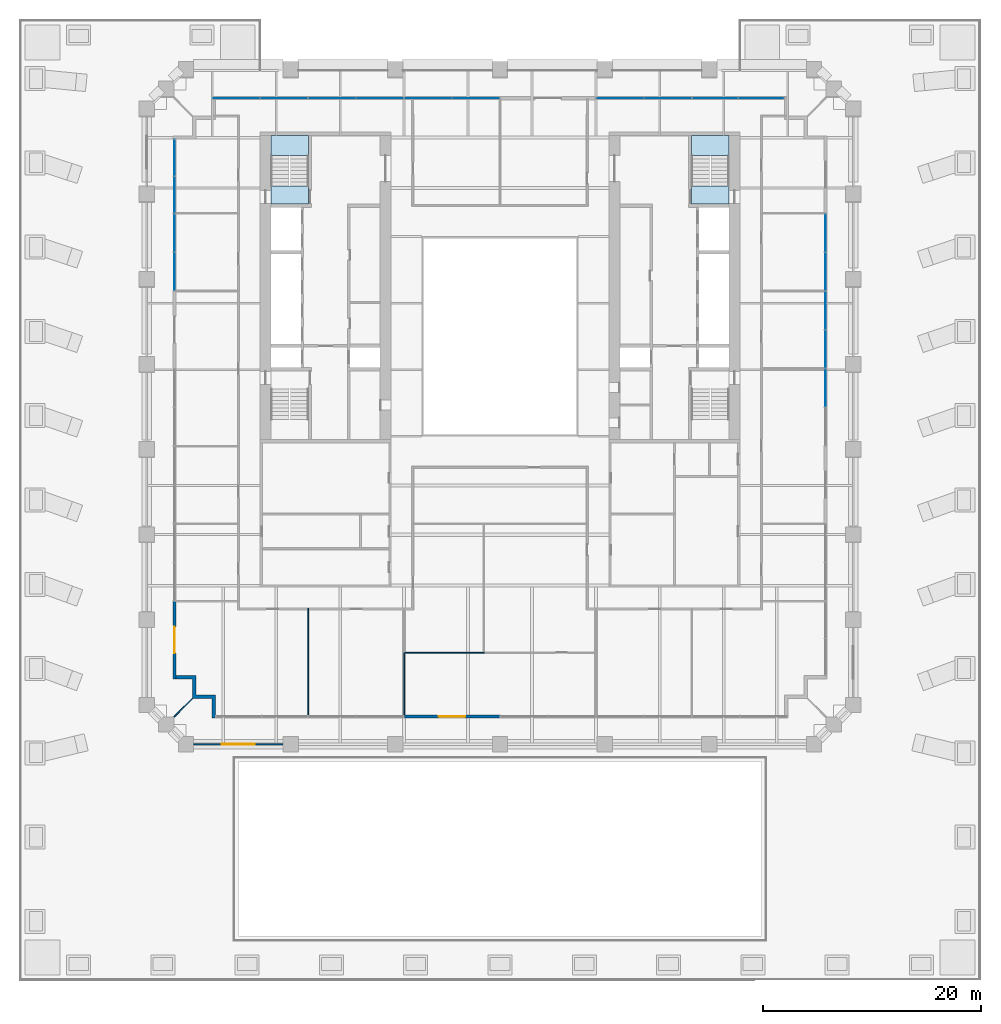
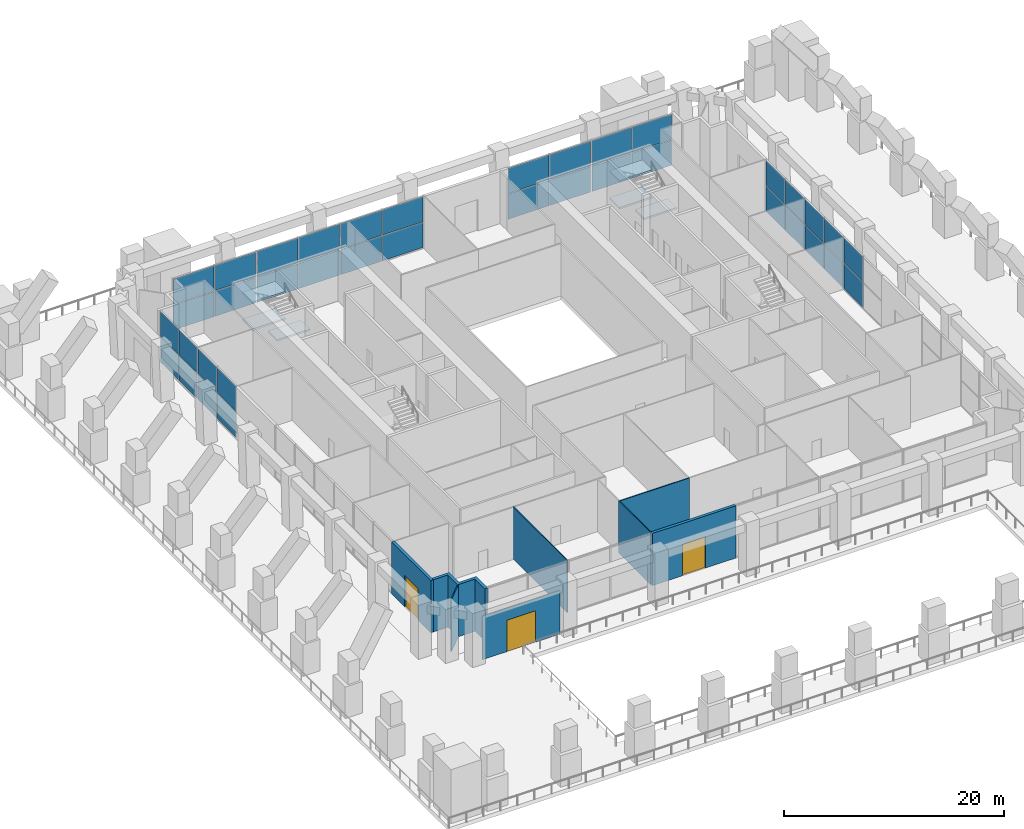
# One storey, part 11 of 20: 38 plates, 8 walls, 6 slabs, 3 doors, 3 openings, 12 elements without a shape of their own.
"""IFC4 building model written with IfcOpenShell, lengths in metres."""

from ifc_helpers import new_model, si_unit, direction, frame, frame_2d, origin, origin_2d, place, context, subcontext, project, spatial, polyline, rectangle, outline, extrude, material, layer, layer_set, type_object, element, fill, aggregate, save


model = new_model("IFC4")

# Units and contexts
model_context = context("Model", 3, precision=1e-05, world=origin(), true_north=direction((0.0, 1.0)))
body_context = subcontext(model_context, "Body", "Model", "MODEL_VIEW")
ifc_project = project(units=[si_unit("LENGTHUNIT", "METRE"), si_unit("AREAUNIT", "SQUARE_METRE"), si_unit("VOLUMEUNIT", "CUBIC_METRE"), si_unit("PLANEANGLEUNIT", "RADIAN"), si_unit("MASSUNIT", "GRAM", prefix="KILO")], contexts=[model_context])

# Site, building, storey
site_placement = place(None, origin())
site = spatial("IfcSite", under=ifc_project, at=site_placement, CompositionType="ELEMENT")
building_placement = place(site_placement, origin())
building = spatial("IfcBuilding", under=site, at=building_placement, Name="Ogive Exchange Tower", CompositionType="ELEMENT")
storey_placement = place(building_placement, frame((0.0, 0.0, 33.60009765625)))
storey = spatial("IfcBuildingStorey", under=building, at=storey_placement, Name="L06", CompositionType="ELEMENT", Elevation=33.60009765625)

# Curtain wall, plates
ifc_material_1 = material(Name="Anodised aluminium and clear glass", Category="aluminium")
curtain_wall_type = type_object("IfcCurtainWallType", Name="Sky lobby glazing", PredefinedType="NOTDEFINED", material=ifc_material_1)
curtain_wall_1_placement = place(storey_placement, origin())
curtain_wall_1 = element("IfcCurtainWall", 1, at=curtain_wall_1_placement, inside=storey, type_object=curtain_wall_type, Name="Sky lobby glazing run G10", PredefinedType="NOTDEFINED")
ifc_material_2 = material(Name="Clear glass", Category="glass")
ifc_layer_1 = layer(ifc_material_2, 0.031982421875)
ifc_layer_set_1 = layer_set([ifc_layer_1], Name="Clear low-emissivity glass panel 32")
plate_type = type_object("IfcPlateType", Name="Clear low-emissivity glass panel 32", PredefinedType="CURTAIN_PANEL", material=ifc_layer_set_1)
plate_1_placement = place(storey_placement, frame((29.85009765625, 2.260986328125, 0.06982421875), z_axis=(0.0, 0.0, 1.0), x_axis=(0.0, 1.0, 0.0)))
plate_1 = element("IfcPlate", 2, at=plate_1_placement, type_object=plate_type, Name="G10 panel 2.1", PredefinedType="CURTAIN_PANEL", context=body_context, shape_type="SweptSolid", body=[
    extrude(rectangle(XDim=3.4521484375, YDim=0.031982421875, at=origin_2d()), origin(), (0.0, 0.0, 1.0), 2.794921875),
])
plate_2_placement = place(storey_placement, frame((29.85009765625, 2.260986328125, 2.93505859375), z_axis=(0.0, 0.0, 1.0), x_axis=(0.0, 1.0, 0.0)))
plate_2 = element("IfcPlate", 3, at=plate_2_placement, type_object=plate_type, Name="G10 panel 2.2", PredefinedType="CURTAIN_PANEL", context=body_context, shape_type="SweptSolid", body=[
    extrude(rectangle(XDim=3.4521484375, YDim=0.031982421875, at=origin_2d()), origin(), (0.0, 0.0, 1.0), 2.794921875),
])
aggregate(curtain_wall_1, [plate_1, plate_2])

curtain_wall_2_placement = place(storey_placement, origin())
curtain_wall_2 = element("IfcCurtainWall", 4, at=curtain_wall_2_placement, inside=storey, type_object=curtain_wall_type, Name="Sky lobby glazing run G11", PredefinedType="NOTDEFINED")
plate_3_placement = place(storey_placement, frame((29.85009765625, 5.853271484375, 0.06982421875), z_axis=(0.0, 0.0, 1.0), x_axis=(0.0, 1.0, 0.0)))
plate_3 = element("IfcPlate", 5, at=plate_3_placement, type_object=plate_type, Name="G11 panel 1.1", PredefinedType="CURTAIN_PANEL", context=body_context, shape_type="SweptSolid", body=[
    extrude(rectangle(XDim=3.4521484375, YDim=0.031982421875, at=origin_2d()), origin(), (0.0, 0.0, 1.0), 2.794921875),
])
plate_4_placement = place(storey_placement, frame((29.85009765625, 5.853271484375, 2.93505859375), z_axis=(0.0, 0.0, 1.0), x_axis=(0.0, 1.0, 0.0)))
plate_4 = element("IfcPlate", 6, at=plate_4_placement, type_object=plate_type, Name="G11 panel 1.2", PredefinedType="CURTAIN_PANEL", context=body_context, shape_type="SweptSolid", body=[
    extrude(rectangle(XDim=3.4521484375, YDim=0.031982421875, at=origin_2d()), origin(), (0.0, 0.0, 1.0), 2.794921875),
])
plate_5_placement = place(storey_placement, frame((29.85009765625, 9.375244140625, 0.06982421875), z_axis=(0.0, 0.0, 1.0), x_axis=(0.0, 1.0, 0.0)))
plate_5 = element("IfcPlate", 7, at=plate_5_placement, type_object=plate_type, Name="G11 panel 2.1", PredefinedType="CURTAIN_PANEL", context=body_context, shape_type="SweptSolid", body=[
    extrude(rectangle(XDim=3.4521484375, YDim=0.031982421875, at=origin_2d()), origin(), (0.0, 0.0, 1.0), 2.794921875),
])
plate_6_placement = place(storey_placement, frame((29.85009765625, 9.375244140625, 2.93505859375), z_axis=(0.0, 0.0, 1.0), x_axis=(0.0, 1.0, 0.0)))
plate_6 = element("IfcPlate", 8, at=plate_6_placement, type_object=plate_type, Name="G11 panel 2.2", PredefinedType="CURTAIN_PANEL", context=body_context, shape_type="SweptSolid", body=[
    extrude(rectangle(XDim=3.4521484375, YDim=0.031982421875, at=origin_2d()), origin(), (0.0, 0.0, 1.0), 2.794921875),
])
aggregate(curtain_wall_2, [plate_3, plate_4, plate_5, plate_6])

curtain_wall_3_placement = place(storey_placement, origin())
curtain_wall_3 = element("IfcCurtainWall", 9, at=curtain_wall_3_placement, inside=storey, type_object=curtain_wall_type, Name="Sky lobby glazing run G12", PredefinedType="NOTDEFINED")
plate_7_placement = place(storey_placement, frame((29.85009765625, 12.967529296875, 0.06982421875), z_axis=(0.0, 0.0, 1.0), x_axis=(0.0, 1.0, 0.0)))
plate_7 = element("IfcPlate", 10, at=plate_7_placement, type_object=plate_type, Name="G12 panel 1.1", PredefinedType="CURTAIN_PANEL", context=body_context, shape_type="SweptSolid", body=[
    extrude(rectangle(XDim=3.4521484375, YDim=0.031982421875, at=origin_2d()), origin(), (0.0, 0.0, 1.0), 2.794921875),
])
plate_8_placement = place(storey_placement, frame((29.85009765625, 12.967529296875, 2.93505859375), z_axis=(0.0, 0.0, 1.0), x_axis=(0.0, 1.0, 0.0)))
plate_8 = element("IfcPlate", 11, at=plate_8_placement, type_object=plate_type, Name="G12 panel 1.2", PredefinedType="CURTAIN_PANEL", context=body_context, shape_type="SweptSolid", body=[
    extrude(rectangle(XDim=3.4521484375, YDim=0.031982421875, at=origin_2d()), origin(), (0.0, 0.0, 1.0), 2.794921875),
])
plate_9_placement = place(storey_placement, frame((29.85009765625, 16.48974609375, 0.06982421875), z_axis=(0.0, 0.0, 1.0), x_axis=(0.0, 1.0, 0.0)))
plate_9 = element("IfcPlate", 12, at=plate_9_placement, type_object=plate_type, Name="G12 panel 2.1", PredefinedType="CURTAIN_PANEL", context=body_context, shape_type="SweptSolid", body=[
    extrude(rectangle(XDim=3.4521484375, YDim=0.031982421875, at=origin_2d()), origin(), (0.0, 0.0, 1.0), 2.794921875),
])
plate_10_placement = place(storey_placement, frame((29.85009765625, 16.48974609375, 2.93505859375), z_axis=(0.0, 0.0, 1.0), x_axis=(0.0, 1.0, 0.0)))
plate_10 = element("IfcPlate", 13, at=plate_10_placement, type_object=plate_type, Name="G12 panel 2.2", PredefinedType="CURTAIN_PANEL", context=body_context, shape_type="SweptSolid", body=[
    extrude(rectangle(XDim=3.4521484375, YDim=0.031982421875, at=origin_2d()), origin(), (0.0, 0.0, 1.0), 2.794921875),
])
aggregate(curtain_wall_3, [plate_7, plate_8, plate_9, plate_10])

curtain_wall_4_placement = place(storey_placement, origin())
curtain_wall_4 = element("IfcCurtainWall", 14, at=curtain_wall_4_placement, inside=storey, type_object=curtain_wall_type, Name="Sky lobby glazing run G14", PredefinedType="NOTDEFINED")
plate_11_placement = place(storey_placement, frame((23.95751953125, 28.85009765625, 0.06982421875), z_axis=(0.0, 0.0, 1.0), x_axis=(-1.0, 0.0, 0.0)))
plate_11 = element("IfcPlate", 15, at=plate_11_placement, type_object=plate_type, Name="G14 panel 1.1", PredefinedType="CURTAIN_PANEL", context=body_context, shape_type="SweptSolid", body=[
    extrude(rectangle(XDim=4.14501953125, YDim=0.031982421875, at=origin_2d()), origin(), (0.0, 0.0, 1.0), 2.794921875),
])
plate_12_placement = place(storey_placement, frame((23.95751953125, 28.85009765625, 2.93505859375), z_axis=(0.0, 0.0, 1.0), x_axis=(-1.0, 0.0, 0.0)))
plate_12 = element("IfcPlate", 16, at=plate_12_placement, type_object=plate_type, Name="G14 panel 1.2", PredefinedType="CURTAIN_PANEL", context=body_context, shape_type="SweptSolid", body=[
    extrude(rectangle(XDim=4.14501953125, YDim=0.031982421875, at=origin_2d()), origin(), (0.0, 0.0, 1.0), 2.794921875),
])
plate_13_placement = place(storey_placement, frame((19.742431640625, 28.85009765625, 0.06982421875), z_axis=(0.0, 0.0, 1.0), x_axis=(-1.0, 0.0, 0.0)))
plate_13 = element("IfcPlate", 17, at=plate_13_placement, type_object=plate_type, Name="G14 panel 2.1", PredefinedType="CURTAIN_PANEL", context=body_context, shape_type="SweptSolid", body=[
    extrude(rectangle(XDim=4.14501953125, YDim=0.031982421875, at=origin_2d()), origin(), (0.0, 0.0, 1.0), 2.794921875),
])
plate_14_placement = place(storey_placement, frame((19.742431640625, 28.85009765625, 2.93505859375), z_axis=(0.0, 0.0, 1.0), x_axis=(-1.0, 0.0, 0.0)))
plate_14 = element("IfcPlate", 18, at=plate_14_placement, type_object=plate_type, Name="G14 panel 2.2", PredefinedType="CURTAIN_PANEL", context=body_context, shape_type="SweptSolid", body=[
    extrude(rectangle(XDim=4.14501953125, YDim=0.031982421875, at=origin_2d()), origin(), (0.0, 0.0, 1.0), 2.794921875),
])
aggregate(curtain_wall_4, [plate_11, plate_12, plate_13, plate_14])

curtain_wall_5_placement = place(storey_placement, origin())
curtain_wall_5 = element("IfcCurtainWall", 19, at=curtain_wall_5_placement, inside=storey, type_object=curtain_wall_type, Name="Sky lobby glazing run G15", PredefinedType="NOTDEFINED")
plate_15_placement = place(storey_placement, frame((15.382568359375, 28.85009765625, 0.06982421875), z_axis=(0.0, 0.0, 1.0), x_axis=(-1.0, 0.0, 0.0)))
plate_15 = element("IfcPlate", 20, at=plate_15_placement, type_object=plate_type, Name="G15 panel 1.1", PredefinedType="CURTAIN_PANEL", context=body_context, shape_type="SweptSolid", body=[
    extrude(rectangle(XDim=4.294921875, YDim=0.031982421875, at=origin_2d()), origin(), (0.0, 0.0, 1.0), 2.794921875),
])
plate_16_placement = place(storey_placement, frame((15.382568359375, 28.85009765625, 2.93505859375), z_axis=(0.0, 0.0, 1.0), x_axis=(-1.0, 0.0, 0.0)))
plate_16 = element("IfcPlate", 21, at=plate_16_placement, type_object=plate_type, Name="G15 panel 1.2", PredefinedType="CURTAIN_PANEL", context=body_context, shape_type="SweptSolid", body=[
    extrude(rectangle(XDim=4.294921875, YDim=0.031982421875, at=origin_2d()), origin(), (0.0, 0.0, 1.0), 2.794921875),
])
plate_17_placement = place(storey_placement, frame((11.017578125, 28.85009765625, 0.06982421875), z_axis=(0.0, 0.0, 1.0), x_axis=(-1.0, 0.0, 0.0)))
plate_17 = element("IfcPlate", 22, at=plate_17_placement, type_object=plate_type, Name="G15 panel 2.1", PredefinedType="CURTAIN_PANEL", context=body_context, shape_type="SweptSolid", body=[
    extrude(rectangle(XDim=4.294921875, YDim=0.031982421875, at=origin_2d()), origin(), (0.0, 0.0, 1.0), 2.794921875),
])
plate_18_placement = place(storey_placement, frame((11.017578125, 28.85009765625, 2.93505859375), z_axis=(0.0, 0.0, 1.0), x_axis=(-1.0, 0.0, 0.0)))
plate_18 = element("IfcPlate", 23, at=plate_18_placement, type_object=plate_type, Name="G15 panel 2.2", PredefinedType="CURTAIN_PANEL", context=body_context, shape_type="SweptSolid", body=[
    extrude(rectangle(XDim=4.294921875, YDim=0.031982421875, at=origin_2d()), origin(), (0.0, 0.0, 1.0), 2.794921875),
])
aggregate(curtain_wall_5, [plate_15, plate_16, plate_17, plate_18])

curtain_wall_6_placement = place(storey_placement, origin())
curtain_wall_6 = element("IfcCurtainWall", 24, at=curtain_wall_6_placement, inside=storey, type_object=curtain_wall_type, Name="Sky lobby glazing run G17", PredefinedType="NOTDEFINED")
plate_19_placement = place(storey_placement, frame((-2.217529296875, 28.85009765625, 0.06982421875), z_axis=(0.0, 0.0, 1.0), x_axis=(-1.0, 0.0, 0.0)))
plate_19 = element("IfcPlate", 25, at=plate_19_placement, type_object=plate_type, Name="G17 panel 1.1", PredefinedType="CURTAIN_PANEL", context=body_context, shape_type="SweptSolid", body=[
    extrude(rectangle(XDim=4.294921875, YDim=0.031982421875, at=origin_2d()), origin(), (0.0, 0.0, 1.0), 2.794921875),
])
plate_20_placement = place(storey_placement, frame((-2.217529296875, 28.85009765625, 2.93505859375), z_axis=(0.0, 0.0, 1.0), x_axis=(-1.0, 0.0, 0.0)))
plate_20 = element("IfcPlate", 26, at=plate_20_placement, type_object=plate_type, Name="G17 panel 1.2", PredefinedType="CURTAIN_PANEL", context=body_context, shape_type="SweptSolid", body=[
    extrude(rectangle(XDim=4.294921875, YDim=0.031982421875, at=origin_2d()), origin(), (0.0, 0.0, 1.0), 2.794921875),
])
plate_21_placement = place(storey_placement, frame((-6.58251953125, 28.85009765625, 0.06982421875), z_axis=(0.0, 0.0, 1.0), x_axis=(-1.0, 0.0, 0.0)))
plate_21 = element("IfcPlate", 27, at=plate_21_placement, type_object=plate_type, Name="G17 panel 2.1", PredefinedType="CURTAIN_PANEL", context=body_context, shape_type="SweptSolid", body=[
    extrude(rectangle(XDim=4.294921875, YDim=0.031982421875, at=origin_2d()), origin(), (0.0, 0.0, 1.0), 2.794921875),
])
plate_22_placement = place(storey_placement, frame((-6.58251953125, 28.85009765625, 2.93505859375), z_axis=(0.0, 0.0, 1.0), x_axis=(-1.0, 0.0, 0.0)))
plate_22 = element("IfcPlate", 28, at=plate_22_placement, type_object=plate_type, Name="G17 panel 2.2", PredefinedType="CURTAIN_PANEL", context=body_context, shape_type="SweptSolid", body=[
    extrude(rectangle(XDim=4.294921875, YDim=0.031982421875, at=origin_2d()), origin(), (0.0, 0.0, 1.0), 2.794921875),
])
aggregate(curtain_wall_6, [plate_19, plate_20, plate_21, plate_22])

curtain_wall_7_placement = place(storey_placement, origin())
curtain_wall_7 = element("IfcCurtainWall", 29, at=curtain_wall_7_placement, inside=storey, type_object=curtain_wall_type, Name="Sky lobby glazing run G18", PredefinedType="NOTDEFINED")
plate_23_placement = place(storey_placement, frame((-11.017578125, 28.85009765625, 0.06982421875), z_axis=(0.0, 0.0, 1.0), x_axis=(-1.0, 0.0, 0.0)))
plate_23 = element("IfcPlate", 30, at=plate_23_placement, type_object=plate_type, Name="G18 panel 1.1", PredefinedType="CURTAIN_PANEL", context=body_context, shape_type="SweptSolid", body=[
    extrude(rectangle(XDim=4.294921875, YDim=0.031982421875, at=origin_2d()), origin(), (0.0, 0.0, 1.0), 2.794921875),
])
plate_24_placement = place(storey_placement, frame((-11.017578125, 28.85009765625, 2.93505859375), z_axis=(0.0, 0.0, 1.0), x_axis=(-1.0, 0.0, 0.0)))
plate_24 = element("IfcPlate", 31, at=plate_24_placement, type_object=plate_type, Name="G18 panel 1.2", PredefinedType="CURTAIN_PANEL", context=body_context, shape_type="SweptSolid", body=[
    extrude(rectangle(XDim=4.294921875, YDim=0.031982421875, at=origin_2d()), origin(), (0.0, 0.0, 1.0), 2.794921875),
])
plate_25_placement = place(storey_placement, frame((-15.382568359375, 28.85009765625, 0.06982421875), z_axis=(0.0, 0.0, 1.0), x_axis=(-1.0, 0.0, 0.0)))
plate_25 = element("IfcPlate", 32, at=plate_25_placement, type_object=plate_type, Name="G18 panel 2.1", PredefinedType="CURTAIN_PANEL", context=body_context, shape_type="SweptSolid", body=[
    extrude(rectangle(XDim=4.294921875, YDim=0.031982421875, at=origin_2d()), origin(), (0.0, 0.0, 1.0), 2.794921875),
])
plate_26_placement = place(storey_placement, frame((-15.382568359375, 28.85009765625, 2.93505859375), z_axis=(0.0, 0.0, 1.0), x_axis=(-1.0, 0.0, 0.0)))
plate_26 = element("IfcPlate", 33, at=plate_26_placement, type_object=plate_type, Name="G18 panel 2.2", PredefinedType="CURTAIN_PANEL", context=body_context, shape_type="SweptSolid", body=[
    extrude(rectangle(XDim=4.294921875, YDim=0.031982421875, at=origin_2d()), origin(), (0.0, 0.0, 1.0), 2.794921875),
])
aggregate(curtain_wall_7, [plate_23, plate_24, plate_25, plate_26])

curtain_wall_8_placement = place(storey_placement, origin())
curtain_wall_8 = element("IfcCurtainWall", 34, at=curtain_wall_8_placement, inside=storey, type_object=curtain_wall_type, Name="Sky lobby glazing run G19", PredefinedType="NOTDEFINED")
plate_27_placement = place(storey_placement, frame((-19.8173828125, 28.85009765625, 0.06982421875), z_axis=(0.0, 0.0, 1.0), x_axis=(-1.0, 0.0, 0.0)))
plate_27 = element("IfcPlate", 35, at=plate_27_placement, type_object=plate_type, Name="G19 panel 1.1", PredefinedType="CURTAIN_PANEL", context=body_context, shape_type="SweptSolid", body=[
    extrude(rectangle(XDim=4.294921875, YDim=0.031982421875, at=origin_2d()), origin(), (0.0, 0.0, 1.0), 2.794921875),
])
plate_28_placement = place(storey_placement, frame((-19.8173828125, 28.85009765625, 2.93505859375), z_axis=(0.0, 0.0, 1.0), x_axis=(-1.0, 0.0, 0.0)))
plate_28 = element("IfcPlate", 36, at=plate_28_placement, type_object=plate_type, Name="G19 panel 1.2", PredefinedType="CURTAIN_PANEL", context=body_context, shape_type="SweptSolid", body=[
    extrude(rectangle(XDim=4.294921875, YDim=0.031982421875, at=origin_2d()), origin(), (0.0, 0.0, 1.0), 2.794921875),
])
plate_29_placement = place(storey_placement, frame((-24.1826171875, 28.85009765625, 0.06982421875), z_axis=(0.0, 0.0, 1.0), x_axis=(-1.0, 0.0, 0.0)))
plate_29 = element("IfcPlate", 37, at=plate_29_placement, type_object=plate_type, Name="G19 panel 2.1", PredefinedType="CURTAIN_PANEL", context=body_context, shape_type="SweptSolid", body=[
    extrude(rectangle(XDim=4.294921875, YDim=0.031982421875, at=origin_2d()), origin(), (0.0, 0.0, 1.0), 2.794921875),
])
plate_30_placement = place(storey_placement, frame((-24.1826171875, 28.85009765625, 2.93505859375), z_axis=(0.0, 0.0, 1.0), x_axis=(-1.0, 0.0, 0.0)))
plate_30 = element("IfcPlate", 38, at=plate_30_placement, type_object=plate_type, Name="G19 panel 2.2", PredefinedType="CURTAIN_PANEL", context=body_context, shape_type="SweptSolid", body=[
    extrude(rectangle(XDim=4.294921875, YDim=0.031982421875, at=origin_2d()), origin(), (0.0, 0.0, 1.0), 2.794921875),
])
aggregate(curtain_wall_8, [plate_27, plate_28, plate_29, plate_30])

curtain_wall_9_placement = place(storey_placement, origin())
curtain_wall_9 = element("IfcCurtainWall", 39, at=curtain_wall_9_placement, inside=storey, type_object=curtain_wall_type, Name="Sky lobby glazing run G20", PredefinedType="NOTDEFINED")
plate_31_placement = place(storey_placement, frame((-29.85009765625, 23.37890625, 0.06982421875), z_axis=(0.0, 0.0, 1.0), x_axis=(0.0, -1.0, 0.0)))
plate_31 = element("IfcPlate", 40, at=plate_31_placement, type_object=plate_type, Name="G20 panel 1.1", PredefinedType="CURTAIN_PANEL", context=body_context, shape_type="SweptSolid", body=[
    extrude(rectangle(XDim=3.30224609375, YDim=0.031982421875, at=origin_2d()), origin(), (0.0, 0.0, 1.0), 2.794921875),
])
plate_32_placement = place(storey_placement, frame((-29.85009765625, 23.37890625, 2.93505859375), z_axis=(0.0, 0.0, 1.0), x_axis=(0.0, -1.0, 0.0)))
plate_32 = element("IfcPlate", 41, at=plate_32_placement, type_object=plate_type, Name="G20 panel 1.2", PredefinedType="CURTAIN_PANEL", context=body_context, shape_type="SweptSolid", body=[
    extrude(rectangle(XDim=3.30224609375, YDim=0.031982421875, at=origin_2d()), origin(), (0.0, 0.0, 1.0), 2.794921875),
])
plate_33_placement = place(storey_placement, frame((-29.85009765625, 20.0068359375, 0.06982421875), z_axis=(0.0, 0.0, 1.0), x_axis=(0.0, -1.0, 0.0)))
plate_33 = element("IfcPlate", 42, at=plate_33_placement, type_object=plate_type, Name="G20 panel 2.1", PredefinedType="CURTAIN_PANEL", context=body_context, shape_type="SweptSolid", body=[
    extrude(rectangle(XDim=3.30224609375, YDim=0.031982421875, at=origin_2d()), origin(), (0.0, 0.0, 1.0), 2.794921875),
])
plate_34_placement = place(storey_placement, frame((-29.85009765625, 20.0068359375, 2.93505859375), z_axis=(0.0, 0.0, 1.0), x_axis=(0.0, -1.0, 0.0)))
plate_34 = element("IfcPlate", 43, at=plate_34_placement, type_object=plate_type, Name="G20 panel 2.2", PredefinedType="CURTAIN_PANEL", context=body_context, shape_type="SweptSolid", body=[
    extrude(rectangle(XDim=3.30224609375, YDim=0.031982421875, at=origin_2d()), origin(), (0.0, 0.0, 1.0), 2.794921875),
])
aggregate(curtain_wall_9, [plate_31, plate_32, plate_33, plate_34])

curtain_wall_10_placement = place(storey_placement, origin())
curtain_wall_10 = element("IfcCurtainWall", 44, at=curtain_wall_10_placement, inside=storey, type_object=curtain_wall_type, Name="Sky lobby glazing run G21", PredefinedType="NOTDEFINED")
plate_35_placement = place(storey_placement, frame((-29.85009765625, 16.48974609375, 0.06982421875), z_axis=(0.0, 0.0, 1.0), x_axis=(0.0, -1.0, 0.0)))
plate_35 = element("IfcPlate", 45, at=plate_35_placement, type_object=plate_type, Name="G21 panel 1.1", PredefinedType="CURTAIN_PANEL", context=body_context, shape_type="SweptSolid", body=[
    extrude(rectangle(XDim=3.4521484375, YDim=0.031982421875, at=origin_2d()), origin(), (0.0, 0.0, 1.0), 2.794921875),
])
plate_36_placement = place(storey_placement, frame((-29.85009765625, 16.48974609375, 2.93505859375), z_axis=(0.0, 0.0, 1.0), x_axis=(0.0, -1.0, 0.0)))
plate_36 = element("IfcPlate", 46, at=plate_36_placement, type_object=plate_type, Name="G21 panel 1.2", PredefinedType="CURTAIN_PANEL", context=body_context, shape_type="SweptSolid", body=[
    extrude(rectangle(XDim=3.4521484375, YDim=0.031982421875, at=origin_2d()), origin(), (0.0, 0.0, 1.0), 2.794921875),
])
plate_37_placement = place(storey_placement, frame((-29.85009765625, 12.967529296875, 0.06982421875), z_axis=(0.0, 0.0, 1.0), x_axis=(0.0, -1.0, 0.0)))
plate_37 = element("IfcPlate", 47, at=plate_37_placement, type_object=plate_type, Name="G21 panel 2.1", PredefinedType="CURTAIN_PANEL", context=body_context, shape_type="SweptSolid", body=[
    extrude(rectangle(XDim=3.4521484375, YDim=0.031982421875, at=origin_2d()), origin(), (0.0, 0.0, 1.0), 2.794921875),
])
plate_38_placement = place(storey_placement, frame((-29.85009765625, 12.967529296875, 2.93505859375), z_axis=(0.0, 0.0, 1.0), x_axis=(0.0, -1.0, 0.0)))
plate_38 = element("IfcPlate", 48, at=plate_38_placement, type_object=plate_type, Name="G21 panel 2.2", PredefinedType="CURTAIN_PANEL", context=body_context, shape_type="SweptSolid", body=[
    extrude(rectangle(XDim=3.4521484375, YDim=0.031982421875, at=origin_2d()), origin(), (0.0, 0.0, 1.0), 2.794921875),
])
aggregate(curtain_wall_10, [plate_35, plate_36, plate_37, plate_38])

# Stair, slabs
ifc_material_3 = material(Name="Concrete C40/50", Category="concrete")
stair_type = type_object("IfcStairType", Name="Exit stair 1650 wide", PredefinedType="HALF_TURN_STAIR", material=ifc_material_3)
stair_1_placement = place(storey_placement, origin())
stair_1 = element("IfcStair", 49, at=stair_1_placement, inside=storey, type_object=stair_type, Name="L06 exit stair ST2", PredefinedType="HALF_TURN_STAIR")
ifc_layer_2 = layer(ifc_material_3, 0.199951171875)
ifc_layer_set_2 = layer_set([ifc_layer_2], Name="Stair landing 200 slab")
slab_type = type_object("IfcSlabType", Name="Stair landing 200 slab", PredefinedType="LANDING", material=ifc_layer_set_2)
slab_1_placement = place(storey_placement, frame((0.0, 0.0, 1.2998046875)))
slab_1 = element("IfcSlab", 50, at=slab_1_placement, type_object=slab_type, Name="ST2 landing 1", PredefinedType="LANDING", context=body_context, shape_type="SweptSolid", body=[
    extrude(outline(polyline([(-17.550048828125, 23.60791015625), (-17.550048828125, 25.449951171875), (-21.0, 25.449951171875), (-21.0, 23.60791015625), (-17.550048828125, 23.60791015625)])), origin(), (0.0, 0.0, 1.0), 0.2001953125),
])
slab_2_placement = place(storey_placement, frame((0.0, 0.0, 2.7998046875)))
slab_2 = element("IfcSlab", 51, at=slab_2_placement, type_object=slab_type, Name="ST2 landing 2", PredefinedType="LANDING", context=body_context, shape_type="SweptSolid", body=[
    extrude(outline(polyline([(-17.550048828125, 19.14990234375), (-17.550048828125, 20.800048828125), (-21.0, 20.800048828125), (-21.0, 19.14990234375), (-17.550048828125, 19.14990234375)])), origin(), (0.0, 0.0, 1.0), 0.2001953125),
])
slab_3_placement = place(storey_placement, frame((0.0, 0.0, 4.2998046875)))
slab_3 = element("IfcSlab", 52, at=slab_3_placement, type_object=slab_type, Name="ST2 landing 3", PredefinedType="LANDING", context=body_context, shape_type="SweptSolid", body=[
    extrude(outline(polyline([(-17.550048828125, 23.60791015625), (-17.550048828125, 25.449951171875), (-21.0, 25.449951171875), (-21.0, 23.60791015625), (-17.550048828125, 23.60791015625)])), origin(), (0.0, 0.0, 1.0), 0.2001953125),
])
aggregate(stair_1, [slab_1, slab_2, slab_3])

stair_2_placement = place(storey_placement, origin())
stair_2 = element("IfcStair", 53, at=stair_2_placement, inside=storey, type_object=stair_type, Name="L06 exit stair ST4", PredefinedType="HALF_TURN_STAIR")
slab_4_placement = place(storey_placement, frame((0.0, 0.0, 1.2998046875)))
slab_4 = element("IfcSlab", 54, at=slab_4_placement, type_object=slab_type, Name="ST4 landing 1", PredefinedType="LANDING", context=body_context, shape_type="SweptSolid", body=[
    extrude(outline(polyline([(21.0, 23.60791015625), (21.0, 25.449951171875), (17.550048828125, 25.449951171875), (17.550048828125, 23.60791015625), (21.0, 23.60791015625)])), origin(), (0.0, 0.0, 1.0), 0.2001953125),
])
slab_5_placement = place(storey_placement, frame((0.0, 0.0, 2.7998046875)))
slab_5 = element("IfcSlab", 55, at=slab_5_placement, type_object=slab_type, Name="ST4 landing 2", PredefinedType="LANDING", context=body_context, shape_type="SweptSolid", body=[
    extrude(outline(polyline([(21.0, 19.14990234375), (21.0, 20.800048828125), (17.550048828125, 20.800048828125), (17.550048828125, 19.14990234375), (21.0, 19.14990234375)])), origin(), (0.0, 0.0, 1.0), 0.2001953125),
])
slab_6_placement = place(storey_placement, frame((0.0, 0.0, 4.2998046875)))
slab_6 = element("IfcSlab", 56, at=slab_6_placement, type_object=slab_type, Name="ST4 landing 3", PredefinedType="LANDING", context=body_context, shape_type="SweptSolid", body=[
    extrude(outline(polyline([(21.0, 23.60791015625), (21.0, 25.449951171875), (17.550048828125, 25.449951171875), (17.550048828125, 23.60791015625), (21.0, 23.60791015625)])), origin(), (0.0, 0.0, 1.0), 0.2001953125),
])
aggregate(stair_2, [slab_4, slab_5, slab_6])

# Wall, opening, door
ifc_material_4 = material(Name="Precast concrete C40/50", Category="concrete")
ifc_layer_3 = layer(ifc_material_4, 0.300048828125)
ifc_layer_set_3 = layer_set([ifc_layer_3], Name="Limestone-faced wall 300")
wall_type_1 = type_object("IfcWallType", Name="Limestone-faced wall 300", PredefinedType="STANDARD", material=ifc_layer_set_3)
wall_1_placement = place(storey_placement, frame((-8.800048828125, -27.85009765625, 0.0), z_axis=(0.0, 0.0, 1.0), x_axis=(1.0, 0.0, 0.0)))
wall_1 = element("IfcWall", 57, at=wall_1_placement, inside=storey, type_object=wall_type_1, Name="External wall S1", PredefinedType="STANDARD", context=body_context, shape_type="SweptSolid", body=[
    extrude(rectangle(XDim=8.800048828125, YDim=0.300048828125, at=frame_2d((4.39990234375, 0.0))), origin(), (0.0, 0.0, 1.0), 5.7998046875),
])
opening_1_placement = place(wall_1_placement, frame((3.199951171875, 0.0, 0.0)))
opening_1 = element("IfcOpeningElement", 58, at=opening_1_placement, cuts=wall_1, Name="Opening D1", PredefinedType="OPENING", context=body_context, shape_type="SweptSolid", body=[
    extrude(rectangle(XDim=2.39990234375, YDim=3.5, at=frame_2d((1.199951171875, 1.75))), frame((0.0, 0.159912109375, 0.0), z_axis=(0.0, -1.0, 0.0), x_axis=(1.0, 0.0, 0.0)), (0.0, 0.0, 1.0), 0.320068359375),
])
ifc_material_5 = material(Name="Clear glass in bronze frame", Category="glass")
door_type_1 = type_object("IfcDoorType", Name="Sliding loggia door 2400 x 3500", OperationType="DOUBLE_DOOR_SLIDING", PredefinedType="DOOR", material=ifc_material_5)
door_1_placement = place(opening_1_placement, origin())
door_1 = element("IfcDoor", 59, at=door_1_placement, inside=storey, type_object=door_type_1, Name="Loggia door S02", OperationType="DOUBLE_DOOR_SLIDING", OverallHeight=3.5, OverallWidth=2.39990234375, PredefinedType="DOOR", context=body_context, shape_type="SweptSolid", body=[
    extrude(rectangle(XDim=2.39990234375, YDim=3.5, at=frame_2d((1.199951171875, 1.75))), frame((0.0, 0.02490234375, 0.0), z_axis=(0.0, -1.0, 0.0), x_axis=(1.0, 0.0, 0.0)), (0.0, 0.0, 1.0), 0.050048828125),
])
fill(opening_1, door_1)

wall_2_placement = place(storey_placement, frame((-29.85009765625, -17.28564453125, 0.0), z_axis=(0.0, 0.0, 1.0), x_axis=(0.0, -1.0, 0.0)))
wall_2 = element("IfcWall", 60, at=wall_2_placement, inside=storey, type_object=wall_type_1, Name="External wall W6", PredefinedType="STANDARD", context=body_context, shape_type="SweptSolid", body=[
    extrude(rectangle(XDim=7.1142578125, YDim=0.300048828125, at=frame_2d((3.55712890625, 0.0))), origin(), (0.0, 0.0, 1.0), 5.7998046875),
])
opening_2_placement = place(wall_2_placement, frame((2.357177734375, 0.0, 0.0)))
opening_2 = element("IfcOpeningElement", 61, at=opening_2_placement, cuts=wall_2, Name="Opening D1", PredefinedType="OPENING", context=body_context, shape_type="SweptSolid", body=[
    extrude(rectangle(XDim=2.39990234375, YDim=3.5, at=frame_2d((1.199951171875, 1.75))), frame((0.0, 0.159912109375, 0.0), z_axis=(0.0, -1.0, 0.0), x_axis=(1.0, 0.0, 0.0)), (0.0, 0.0, 1.0), 0.320068359375),
])
door_2_placement = place(opening_2_placement, origin())
door_2 = element("IfcDoor", 62, at=door_2_placement, inside=storey, type_object=door_type_1, Name="Loggia door W06", OperationType="DOUBLE_DOOR_SLIDING", OverallHeight=3.5, OverallWidth=2.39990234375, PredefinedType="DOOR", context=body_context, shape_type="SweptSolid", body=[
    extrude(rectangle(XDim=2.39990234375, YDim=3.5, at=frame_2d((1.199951171875, 1.75))), frame((0.0, 0.02490234375, 0.0), z_axis=(0.0, -1.0, 0.0), x_axis=(1.0, 0.0, 0.0)), (0.0, 0.0, 1.0), 0.050048828125),
])
fill(opening_2, door_2)

# Walls
wall_3_placement = place(storey_placement, origin())
element("IfcWall", 63, at=wall_3_placement, inside=storey, type_object=wall_type_1, Name="External corner wall C4", PredefinedType="STANDARD", context=body_context, shape_type="SweptSolid", body=[
    extrude(outline(polyline([(-26.39990234375, -26.199951171875), (-28.199951171875, -26.199951171875), (-28.199951171875, -24.39990234375), (-29.699951171875, -24.39990234375), (-29.699951171875, -24.10009765625), (-27.89990234375, -24.10009765625), (-27.89990234375, -25.89990234375), (-26.10009765625, -25.89990234375), (-26.10009765625, -28.0), (-26.39990234375, -28.0), (-26.39990234375, -26.199951171875)])), origin(), (0.0, 0.0, 1.0), 5.7998046875),
])
ifc_material_6 = material(Name="Laminated safety glass in steel frame", Category="steel")
ifc_layer_4 = layer(ifc_material_6, 0.10009765625)
ifc_layer_set_4 = layer_set([ifc_layer_4], Name="Loggia end screen 100")
wall_type_2 = type_object("IfcWallType", Name="Loggia end screen 100", PredefinedType="STANDARD", material=ifc_layer_set_4)
wall_4_placement = place(storey_placement, frame((-28.199951171875, -26.199951171875, 0.0), z_axis=(0.0, 0.0, 1.0), x_axis=(-0.707106781187, -0.707106781187, 0.0)))
element("IfcWall", 64, at=wall_4_placement, inside=storey, type_object=wall_type_2, Name="Loggia end screen C4", PredefinedType="STANDARD", context=body_context, shape_type="SweptSolid", body=[
    extrude(rectangle(XDim=2.384521484375, YDim=0.10009765625, at=frame_2d((1.1923828125, 0.0))), origin(), (0.0, 0.0, 1.0), 5.7998046875),
])

# Wall, opening, door
wall_5_placement = place(storey_placement, frame((-28.080078125, -30.39990234375, 0.0), z_axis=(0.0, 0.0, 1.0), x_axis=(1.0, 0.0, 0.0)))
wall_5 = element("IfcWall", 65, at=wall_5_placement, inside=storey, type_object=wall_type_2, Name="Terrace screen S00", PredefinedType="STANDARD", context=body_context, shape_type="SweptSolid", body=[
    extrude(rectangle(XDim=8.16015625, YDim=0.10009765625, at=frame_2d((4.080078125, 0.0))), origin(), (0.0, 0.0, 1.0), 4.849853515625),
])
opening_3_placement = place(wall_5_placement, frame((2.580078125, 0.0, 0.0)))
opening_3 = element("IfcOpeningElement", 66, at=opening_3_placement, cuts=wall_5, Name="Opening D4", PredefinedType="OPENING", context=body_context, shape_type="SweptSolid", body=[
    extrude(rectangle(XDim=3.0, YDim=3.5, at=frame_2d((1.5, 1.75))), frame((0.0, 0.06005859375, 0.0), z_axis=(0.0, -1.0, 0.0), x_axis=(1.0, 0.0, 0.0)), (0.0, 0.0, 1.0), 0.1201171875),
])
door_type_2 = type_object("IfcDoorType", Name="Terrace sliding door 3000 x 3500", OperationType="DOUBLE_DOOR_SLIDING", PredefinedType="DOOR", material=ifc_material_5)
door_3_placement = place(opening_3_placement, origin())
door_3 = element("IfcDoor", 67, at=door_3_placement, inside=storey, type_object=door_type_2, Name="Terrace door S00", OperationType="DOUBLE_DOOR_SLIDING", OverallHeight=3.5, OverallWidth=3.0, PredefinedType="DOOR", context=body_context, shape_type="SweptSolid", body=[
    extrude(rectangle(XDim=3.0, YDim=3.5, at=frame_2d((1.5, 1.75))), frame((0.0, 0.02490234375, 0.0), z_axis=(0.0, -1.0, 0.0), x_axis=(1.0, 0.0, 0.0)), (0.0, 0.0, 1.0), 0.050048828125),
])
fill(opening_3, door_3)

# Walls
ifc_material_7 = material(Name="Partition 100 gypsum")
ifc_layer_5 = layer(ifc_material_7, 0.10009765625)
ifc_layer_set_5 = layer_set([ifc_layer_5], Name="Partition 100 gypsum")
wall_type_3 = type_object("IfcWallType", Name="Partition 100 gypsum", PredefinedType="PARTITIONING", material=ifc_layer_set_5)
wall_6_placement = place(storey_placement, frame((-17.60009765625, -27.800048828125, 0.0), z_axis=(0.0, 0.0, 1.0), x_axis=(0.0, 1.0, 0.0)))
element("IfcWall", 68, at=wall_6_placement, inside=storey, type_object=wall_type_3, Name="L06-PWL-013", PredefinedType="PARTITIONING", context=body_context, shape_type="SweptSolid", body=[
    extrude(rectangle(XDim=9.875, YDim=0.10009765625, at=frame_2d((4.9375, 0.0))), origin(), (0.0, 0.0, 1.0), 5.7998046875),
])
wall_7_placement = place(storey_placement, frame((-8.800048828125, -27.800048828125, 0.0), z_axis=(0.0, 0.0, 1.0), x_axis=(0.0, 1.0, 0.0)))
element("IfcWall", 69, at=wall_7_placement, inside=storey, type_object=wall_type_3, Name="L06-PWL-015", PredefinedType="PARTITIONING", context=body_context, shape_type="SweptSolid", body=[
    extrude(rectangle(XDim=5.85009765625, YDim=0.10009765625, at=frame_2d((2.925048828125, 0.0))), origin(), (0.0, 0.0, 1.0), 5.7998046875),
])
wall_8_placement = place(storey_placement, frame((-8.75, -22.0, 0.0), z_axis=(0.0, 0.0, 1.0), x_axis=(1.0, 0.0, 0.0)))
element("IfcWall", 70, at=wall_8_placement, inside=storey, type_object=wall_type_3, Name="L06-PWL-017", PredefinedType="PARTITIONING", context=body_context, shape_type="SweptSolid", body=[
    extrude(rectangle(XDim=7.300048828125, YDim=0.10009765625, at=frame_2d((3.64990234375, 0.0))), origin(), (0.0, 0.0, 1.0), 5.7998046875),
])

save(model, "model.ifc")
